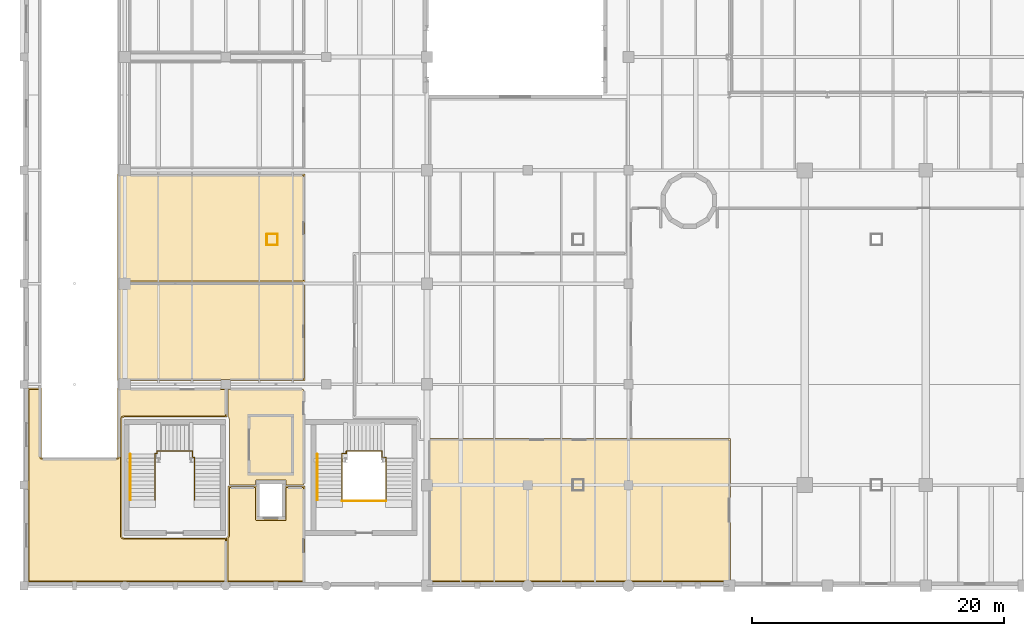
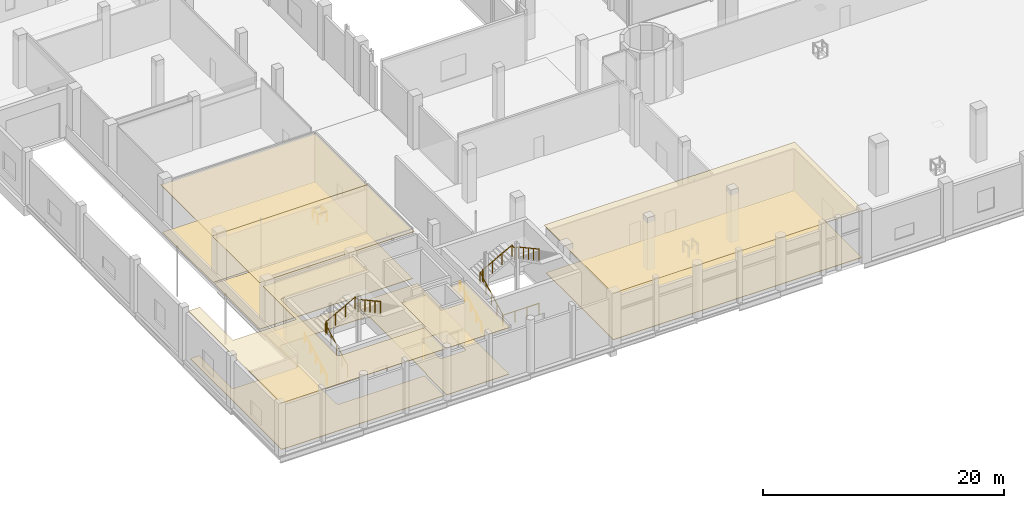
# One storey, part 50 of 57: 11 coverings, 9 railings.
"""IFC4 building model written with IfcOpenShell, lengths in metres."""

from ifc_helpers import new_model, si_unit, derived_unit, direction, frame, origin, origin_2d, place, context, subcontext, project, spatial, polyline, circle, outline, extrude, material, layer, layer_set, type_object, element, save


model = new_model("IFC4")

# Units and contexts
model_context = context("Model", 3, precision=1e-05, world=origin(), true_north=direction((0.0, 1.0)))
body_context = subcontext(model_context, "Body", "Model", "MODEL_VIEW")
ifc_project = project(units=[si_unit("LENGTHUNIT", "METRE"), si_unit("AREAUNIT", "SQUARE_METRE"), si_unit("VOLUMEUNIT", "CUBIC_METRE"), si_unit("PLANEANGLEUNIT", "RADIAN"), si_unit("MASSUNIT", "GRAM", prefix="KILO"), derived_unit("THERMALTRANSMITTANCEUNIT", [(si_unit("POWERUNIT", "WATT"), 1), (si_unit("LENGTHUNIT", "METRE"), -2), (si_unit("THERMODYNAMICTEMPERATUREUNIT", "KELVIN"), -1)])], contexts=[model_context])

# Site, building, storey
site_placement = place(None, origin())
site = spatial("IfcSite", under=ifc_project, at=site_placement, CompositionType="ELEMENT")
building_placement = place(site_placement, origin())
building = spatial("IfcBuilding", under=site, at=building_placement, Name="Nallur Shell Playhouse", CompositionType="ELEMENT")
storey_placement = place(building_placement, origin())
storey = spatial("IfcBuildingStorey", under=building, at=storey_placement, Name="L01", CompositionType="ELEMENT", Elevation=0.0)

# Coverings
ifc_material_1 = material(Name="Micro-Perforated Teak Veneer Acoustic Baffle Ceiling")
ifc_layer_1 = layer(ifc_material_1, 0.044921875)
ifc_layer_set_1 = layer_set([ifc_layer_1], Name="Micro-Perforated Teak Veneer Acoustic Baffle Ceiling")
covering_type_1 = type_object("IfcCoveringType", Name="CV-CEIL-AC1", PredefinedType="CEILING", material=ifc_layer_set_1)
covering_1_placement = place(storey_placement, frame((0.0, 0.0, 4.804931640625)))
element("IfcCovering", 1, at=covering_1_placement, inside=storey, type_object=covering_type_1, Name="South-West Sheltered Arrival Colonnade suspended acoustic ceiling", PredefinedType="CEILING", context=body_context, shape_type="SweptSolid", body=[
    extrude(outline(polyline([(64.110107421875, 19.7099609375), (64.110107421875, 8.2900390625), (40.090087890625, 8.2900390625), (40.090087890625, 19.7099609375), (64.110107421875, 19.7099609375)])), origin(), (0.0, 0.0, 1.0), 0.045166015625),
])
covering_2_placement = place(storey_placement, frame((0.0, 0.0, 4.804931640625)))
element("IfcCovering", 2, at=covering_2_placement, inside=storey, type_object=covering_type_1, Name="Stage Door Security & Artist Reception suspended acoustic ceiling", PredefinedType="CEILING", context=body_context, shape_type="SweptSolid", body=[
    extrude(outline(polyline([(15.87890625, 21.376220703125), (15.875, 21.37451171875), (15.8623046875, 21.368408203125), (15.8583984375, 21.366455078125), (15.846435546875, 21.359130859375), (15.8427734375, 21.356689453125), (15.831298828125, 21.34814453125), (15.82763671875, 21.34521484375), (15.817138671875, 21.335693359375), (15.814208984375, 21.332763671875), (15.8046875, 21.322265625), (15.802001953125, 21.318603515625), (15.793212890625, 21.30712890625), (15.790771484375, 21.303466796875), (15.78369140625, 21.29150390625), (15.781494140625, 21.28759765625), (15.775390625, 21.27490234375), (15.77392578125, 21.27099609375), (15.768798828125, 21.2568359375), (15.767578125, 21.252685546875), (15.76416015625, 21.2392578125), (15.76318359375, 21.23486328125), (15.76123046875, 21.22119140625), (15.7607421875, 21.216796875), (15.760009765625, 21.200927734375), (15.760009765625, 21.198974609375), (15.760009765625, 12.001220703125), (15.760009765625, 11.9990234375), (15.7607421875, 11.9833984375), (15.76123046875, 11.97900390625), (15.76318359375, 11.965087890625), (15.76416015625, 11.960693359375), (15.767578125, 11.947509765625), (15.768798828125, 11.943115234375), (15.77392578125, 11.928955078125), (15.775390625, 11.925048828125), (15.781494140625, 11.912353515625), (15.78369140625, 11.908447265625), (15.790771484375, 11.896484375), (15.793212890625, 11.892822265625), (15.802001953125, 11.88134765625), (15.8046875, 11.877685546875), (15.814208984375, 11.8671875), (15.817138671875, 11.8642578125), (15.82763671875, 11.854736328125), (15.831298828125, 11.851806640625), (15.8427734375, 11.84326171875), (15.846435546875, 11.8408203125), (15.8583984375, 11.83349609375), (15.8623046875, 11.83154296875), (15.875, 11.825439453125), (15.87890625, 11.823974609375), (15.893310546875, 11.81884765625), (15.8974609375, 11.8173828125), (15.910888671875, 11.814208984375), (15.9150390625, 11.813232421875), (15.928955078125, 11.811279296875), (15.933349609375, 11.810791015625), (15.948974609375, 11.81005859375), (15.951171875, 11.81005859375), (24.110107421875, 11.81005859375), (24.110107421875, 8.2900390625), (8.2900390625, 8.2900390625), (8.2900390625, 23.7099609375), (9.3701171875, 23.7099609375), (9.3701171875, 18.202880859375), (9.370361328125, 18.197021484375), (9.370849609375, 18.194091796875), (9.371337890625, 18.19140625), (9.37255859375, 18.1884765625), (9.373779296875, 18.185791015625), (9.375, 18.18359375), (9.376953125, 18.18115234375), (9.37890625, 18.178955078125), (9.381103515625, 18.177001953125), (9.383544921875, 18.175048828125), (9.3857421875, 18.173583984375), (9.388427734375, 18.172607421875), (9.391357421875, 18.17138671875), (9.39404296875, 18.1708984375), (9.397216796875, 18.17041015625), (9.40283203125, 18.169921875), (15.397216796875, 18.169921875), (15.40283203125, 18.17041015625), (15.406005859375, 18.1708984375), (15.40869140625, 18.17138671875), (15.41162109375, 18.172607421875), (15.414306640625, 18.173583984375), (15.41650390625, 18.175048828125), (15.4189453125, 18.177001953125), (15.421142578125, 18.178955078125), (15.423095703125, 18.18115234375), (15.425048828125, 18.18359375), (15.42626953125, 18.185791015625), (15.427490234375, 18.1884765625), (15.4287109375, 18.19140625), (15.42919921875, 18.194091796875), (15.4296875, 18.197021484375), (15.429931640625, 18.202880859375), (15.429931640625, 23.7099609375), (24.110107421875, 23.7099609375), (24.110107421875, 21.389892578125), (15.951171875, 21.389892578125), (15.948974609375, 21.389892578125), (15.933349609375, 21.38916015625), (15.928955078125, 21.388671875), (15.9150390625, 21.38671875), (15.910888671875, 21.3857421875), (15.8974609375, 21.382568359375), (15.893310546875, 21.381103515625), (15.87890625, 21.376220703125)])), origin(), (0.0, 0.0, 1.0), 0.045166015625),
])
covering_3_placement = place(storey_placement, frame((0.0, 0.0, 4.804931640625)))
element("IfcCovering", 3, at=covering_3_placement, inside=storey, type_object=covering_type_1, Name="Principal Soloist Dressing Suite 01 suspended acoustic ceiling", PredefinedType="CEILING", context=body_context, shape_type="SweptSolid", body=[
    extrude(outline(polyline([(15.429931640625, 24.2900390625), (15.429931640625, 32.110107421875), (30.31005859375, 32.110107421875), (30.31005859375, 24.2900390625), (15.429931640625, 24.2900390625)])), origin(), (0.0, 0.0, 1.0), 0.045166015625),
])
ifc_material_2 = material(Name="Mineral-Fibre High-NRC Suspended Ceiling Tile")
ifc_layer_2 = layer(ifc_material_2, 0.030029296875)
ifc_layer_set_2 = layer_set([ifc_layer_2], Name="Mineral-Fibre High-NRC Suspended Ceiling Tile")
covering_type_2 = type_object("IfcCoveringType", Name="CV-CEIL-AC2", PredefinedType="CEILING", material=ifc_layer_set_2)
covering_4_placement = place(storey_placement, frame((0.0, 0.0, 4.820068359375)))
element("IfcCovering", 4, at=covering_4_placement, inside=storey, type_object=covering_type_2, Name="First Aid & Medical Triage Room suspended acoustic ceiling", PredefinedType="CEILING", context=body_context, shape_type="SweptSolid", body=[
    extrude(outline(polyline([(24.145263671875, 11.877685546875), (24.148193359375, 11.88134765625), (24.15673828125, 11.892822265625), (24.1591796875, 11.896484375), (24.16650390625, 11.908447265625), (24.16845703125, 11.912353515625), (24.174560546875, 11.925048828125), (24.176025390625, 11.928955078125), (24.18115234375, 11.943115234375), (24.1826171875, 11.947509765625), (24.185791015625, 11.960693359375), (24.186767578125, 11.965087890625), (24.188720703125, 11.97900390625), (24.189208984375, 11.9833984375), (24.18994140625, 11.9990234375), (24.18994140625, 12.001220703125), (24.18994140625, 15.909912109375), (26.489990234375, 15.909912109375), (26.489990234375, 13.2900390625), (28.7099609375, 13.2900390625), (28.7099609375, 15.909912109375), (30.31005859375, 15.909912109375), (30.31005859375, 8.2900390625), (24.090087890625, 8.2900390625), (24.090087890625, 11.825439453125), (24.1328125, 11.8642578125), (24.1357421875, 11.8671875), (24.145263671875, 11.877685546875)])), origin(), (0.0, 0.0, 1.0), 0.030029296875),
])
covering_5_placement = place(storey_placement, frame((0.0, 0.0, 4.820068359375)))
element("IfcCovering", 5, at=covering_5_placement, inside=storey, type_object=covering_type_2, Name="Principal Soloist Dressing Suite 02 suspended acoustic ceiling", PredefinedType="CEILING", context=body_context, shape_type="SweptSolid", body=[
    extrude(outline(polyline([(15.429931640625, 32.090087890625), (15.429931640625, 40.7099609375), (30.31005859375, 40.7099609375), (30.31005859375, 32.090087890625), (15.429931640625, 32.090087890625)])), origin(), (0.0, 0.0, 1.0), 0.030029296875),
])
ifc_material_3 = material(Name="Polished Chettinad Oxide & White Marble Terrazzo Flooring", Category="masonry")
ifc_layer_3 = layer(ifc_material_3, 0.050048828125)
ifc_layer_set_3 = layer_set([ifc_layer_3], Name="Polished Chettinad Oxide & White Marble Terrazzo Flooring")
covering_type_3 = type_object("IfcCoveringType", Name="CV-FLOR-TERRAZZO", PredefinedType="FLOORING", material=ifc_layer_set_3)
covering_6_placement = place(storey_placement, origin())
element("IfcCovering", 6, at=covering_6_placement, inside=storey, type_object=covering_type_3, Name="South-West Sheltered Arrival Colonnade floor finish", PredefinedType="FLOORING", context=body_context, shape_type="SweptSolid", body=[
    extrude(outline(polyline([(64.0, 19.60009765625), (64.0, 8.39990234375), (40.199951171875, 8.39990234375), (40.199951171875, 19.60009765625), (64.0, 19.60009765625)])), origin(), (0.0, 0.0, 1.0), 0.050048828125),
])
covering_7_placement = place(storey_placement, origin())
element("IfcCovering", 7, at=covering_7_placement, inside=storey, type_object=covering_type_3, Name="Stage Door Security & Artist Reception floor finish", PredefinedType="FLOORING", context=body_context, shape_type="SweptSolid", body=[
    extrude(outline(polyline([(15.83984375, 21.47900390625), (15.830810546875, 21.47509765625), (15.81298828125, 21.466796875), (15.80419921875, 21.462158203125), (15.78759765625, 21.4521484375), (15.779296875, 21.446533203125), (15.763671875, 21.434814453125), (15.756103515625, 21.4287109375), (15.741455078125, 21.41552734375), (15.734619140625, 21.40869140625), (15.72119140625, 21.39404296875), (15.715087890625, 21.386474609375), (15.703369140625, 21.37060546875), (15.697998046875, 21.362548828125), (15.687744140625, 21.345703125), (15.68310546875, 21.3369140625), (15.6748046875, 21.3193359375), (15.671142578125, 21.310302734375), (15.66455078125, 21.291748046875), (15.66162109375, 21.282470703125), (15.65673828125, 21.26318359375), (15.65478515625, 21.253662109375), (15.652099609375, 21.234375), (15.651123046875, 21.224609375), (15.650146484375, 21.204833984375), (15.64990234375, 21.199951171875), (15.64990234375, 12.0), (15.650146484375, 11.9951171875), (15.651123046875, 11.9755859375), (15.652099609375, 11.9658203125), (15.65478515625, 11.9462890625), (15.65673828125, 11.936767578125), (15.66162109375, 11.91748046875), (15.66455078125, 11.908203125), (15.671142578125, 11.889892578125), (15.6748046875, 11.880615234375), (15.68310546875, 11.863037109375), (15.687744140625, 11.854248046875), (15.697998046875, 11.83740234375), (15.703369140625, 11.829345703125), (15.715087890625, 11.813720703125), (15.72119140625, 11.805908203125), (15.734619140625, 11.79150390625), (15.741455078125, 11.784423828125), (15.756103515625, 11.771240234375), (15.763671875, 11.76513671875), (15.779296875, 11.75341796875), (15.78759765625, 11.747802734375), (15.80419921875, 11.73779296875), (15.81298828125, 11.733154296875), (15.830810546875, 11.724853515625), (15.83984375, 11.72119140625), (15.8583984375, 11.714599609375), (15.86767578125, 11.711669921875), (15.88671875, 11.706787109375), (15.896240234375, 11.704833984375), (15.915771484375, 11.701904296875), (15.925537109375, 11.701171875), (15.945068359375, 11.7001953125), (15.949951171875, 11.699951171875), (24.0, 11.699951171875), (24.0, 8.39990234375), (8.39990234375, 8.39990234375), (8.39990234375, 23.60009765625), (9.260009765625, 23.60009765625), (9.260009765625, 18.199951171875), (9.2607421875, 18.186279296875), (9.2626953125, 18.172607421875), (9.26611328125, 18.159423828125), (9.270751953125, 18.146484375), (9.276611328125, 18.134033203125), (9.28369140625, 18.122314453125), (9.291748046875, 18.111083984375), (9.301025390625, 18.10107421875), (9.311279296875, 18.091796875), (9.322265625, 18.08349609375), (9.333984375, 18.076416015625), (9.346435546875, 18.07080078125), (9.359375, 18.06591796875), (9.372802734375, 18.062744140625), (9.38623046875, 18.060791015625), (9.39990234375, 18.06005859375), (15.39990234375, 18.06005859375), (15.413818359375, 18.060791015625), (15.42724609375, 18.062744140625), (15.440673828125, 18.06591796875), (15.45361328125, 18.07080078125), (15.466064453125, 18.076416015625), (15.477783203125, 18.08349609375), (15.48876953125, 18.091796875), (15.4990234375, 18.10107421875), (15.50830078125, 18.111083984375), (15.516357421875, 18.122314453125), (15.5234375, 18.134033203125), (15.529296875, 18.146484375), (15.533935546875, 18.159423828125), (15.537353515625, 18.172607421875), (15.539306640625, 18.186279296875), (15.5400390625, 18.199951171875), (15.5400390625, 23.60009765625), (24.0, 23.60009765625), (24.0, 21.5), (15.949951171875, 21.5), (15.945068359375, 21.5), (15.925537109375, 21.498779296875), (15.915771484375, 21.498046875), (15.896240234375, 21.4951171875), (15.88671875, 21.4931640625), (15.86767578125, 21.48828125), (15.8583984375, 21.485595703125), (15.83984375, 21.47900390625)])), origin(), (0.0, 0.0, 1.0), 0.050048828125),
])
covering_8_placement = place(storey_placement, origin())
element("IfcCovering", 8, at=covering_8_placement, inside=storey, type_object=covering_type_3, Name="First Aid & Medical Triage Room floor finish", PredefinedType="FLOORING", context=body_context, shape_type="SweptSolid", body=[
    extrude(outline(polyline([(24.26220703125, 11.854248046875), (24.266845703125, 11.863037109375), (24.275146484375, 11.880615234375), (24.27880859375, 11.889892578125), (24.285400390625, 11.908203125), (24.288330078125, 11.91748046875), (24.293212890625, 11.936767578125), (24.295166015625, 11.9462890625), (24.298095703125, 11.9658203125), (24.298828125, 11.9755859375), (24.2998046875, 11.9951171875), (24.300048828125, 12.0), (24.300048828125, 15.800048828125), (26.3798828125, 15.800048828125), (26.3798828125, 13.280029296875), (26.380615234375, 13.270263671875), (26.3818359375, 13.260498046875), (26.38427734375, 13.2509765625), (26.3876953125, 13.24169921875), (26.391845703125, 13.23291015625), (26.39697265625, 13.224365234375), (26.402587890625, 13.216552734375), (26.4091796875, 13.209228515625), (26.41650390625, 13.20263671875), (26.42431640625, 13.197021484375), (26.432861328125, 13.19189453125), (26.441650390625, 13.1875), (26.450927734375, 13.184326171875), (26.46044921875, 13.181884765625), (26.47021484375, 13.180419921875), (26.47998046875, 13.179931640625), (28.719970703125, 13.179931640625), (28.729736328125, 13.180419921875), (28.739501953125, 13.181884765625), (28.7490234375, 13.184326171875), (28.75830078125, 13.1875), (28.76708984375, 13.19189453125), (28.775634765625, 13.197021484375), (28.783447265625, 13.20263671875), (28.790771484375, 13.209228515625), (28.79736328125, 13.216552734375), (28.802978515625, 13.224365234375), (28.80810546875, 13.23291015625), (28.8125, 13.24169921875), (28.815673828125, 13.2509765625), (28.818115234375, 13.260498046875), (28.819580078125, 13.270263671875), (28.820068359375, 13.280029296875), (28.820068359375, 15.800048828125), (30.199951171875, 15.800048828125), (30.199951171875, 8.39990234375), (24.199951171875, 8.39990234375), (24.199951171875, 11.776611328125), (24.20849609375, 11.784423828125), (24.215576171875, 11.79150390625), (24.228759765625, 11.805908203125), (24.23486328125, 11.813720703125), (24.24658203125, 11.829345703125), (24.252197265625, 11.83740234375), (24.26220703125, 11.854248046875)])), origin(), (0.0, 0.0, 1.0), 0.050048828125),
])
covering_9_placement = place(storey_placement, origin())
element("IfcCovering", 9, at=covering_9_placement, inside=storey, type_object=covering_type_3, Name="Fire Command Room floor finish", PredefinedType="FLOORING", context=body_context, shape_type="SweptSolid", body=[
    extrude(outline(polyline([(28.80810546875, 16.3671875), (28.802978515625, 16.37548828125), (28.79736328125, 16.38330078125), (28.790771484375, 16.390625), (28.783447265625, 16.397216796875), (28.775634765625, 16.403076171875), (28.76708984375, 16.408203125), (28.75830078125, 16.412353515625), (28.7490234375, 16.415771484375), (28.739501953125, 16.418212890625), (28.729736328125, 16.41943359375), (28.719970703125, 16.419921875), (26.47998046875, 16.419921875), (26.47021484375, 16.41943359375), (26.46044921875, 16.418212890625), (26.450927734375, 16.415771484375), (26.441650390625, 16.412353515625), (26.432861328125, 16.408203125), (26.42431640625, 16.403076171875), (26.41650390625, 16.397216796875), (26.4091796875, 16.390625), (26.402587890625, 16.38330078125), (26.39697265625, 16.37548828125), (26.391845703125, 16.3671875), (26.3876953125, 16.3583984375), (26.38427734375, 16.34912109375), (26.3818359375, 16.339599609375), (26.380615234375, 16.329833984375), (26.3798828125, 16.320068359375), (26.3798828125, 16.0), (24.300048828125, 16.0), (24.300048828125, 21.199951171875), (24.2998046875, 21.204833984375), (24.298828125, 21.224609375), (24.298095703125, 21.234375), (24.295166015625, 21.253662109375), (24.293212890625, 21.26318359375), (24.288330078125, 21.282470703125), (24.285400390625, 21.291748046875), (24.27880859375, 21.310302734375), (24.275146484375, 21.3193359375), (24.266845703125, 21.3369140625), (24.26220703125, 21.345703125), (24.252197265625, 21.362548828125), (24.24658203125, 21.37060546875), (24.23486328125, 21.386474609375), (24.228759765625, 21.39404296875), (24.215576171875, 21.40869140625), (24.20849609375, 21.41552734375), (24.199951171875, 21.42333984375), (24.199951171875, 23.60009765625), (30.199951171875, 23.60009765625), (30.199951171875, 16.0), (28.820068359375, 16.0), (28.820068359375, 16.320068359375), (28.819580078125, 16.329833984375), (28.818115234375, 16.339599609375), (28.815673828125, 16.34912109375), (28.8125, 16.3583984375), (28.80810546875, 16.3671875)])), origin(), (0.0, 0.0, 1.0), 0.050048828125),
])
covering_10_placement = place(storey_placement, origin())
element("IfcCovering", 10, at=covering_10_placement, inside=storey, type_object=covering_type_3, Name="Principal Soloist Dressing Suite 01 floor finish", PredefinedType="FLOORING", context=body_context, shape_type="SweptSolid", body=[
    extrude(outline(polyline([(15.5400390625, 24.39990234375), (15.5400390625, 32.0), (30.199951171875, 32.0), (30.199951171875, 24.39990234375), (15.5400390625, 24.39990234375)])), origin(), (0.0, 0.0, 1.0), 0.050048828125),
])
covering_11_placement = place(storey_placement, origin())
element("IfcCovering", 11, at=covering_11_placement, inside=storey, type_object=covering_type_3, Name="Principal Soloist Dressing Suite 02 floor finish", PredefinedType="FLOORING", context=body_context, shape_type="SweptSolid", body=[
    extrude(outline(polyline([(15.5400390625, 32.199951171875), (15.5400390625, 40.60009765625), (30.199951171875, 40.60009765625), (30.199951171875, 32.199951171875), (15.5400390625, 32.199951171875)])), origin(), (0.0, 0.0, 1.0), 0.050048828125),
])

# Railings
ifc_material_4 = material(Name="Brushed Stainless Steel 316 Balustrade & Toughened Infill", Category="steel")
railing_type_1 = type_object("IfcRailingType", Name="RL-GUARD-1100", PredefinedType="BALUSTRADE", material=ifc_material_4)
railing_1_placement = place(storey_placement, frame((33.260009765625, 14.800048828125, 0.0)))
element("IfcRailing", 12, at=railing_1_placement, inside=storey, type_object=railing_type_1, Name="Stair ST-01-L01 inner open-well guard", PredefinedType="BALUSTRADE", context=body_context, shape_type="SweptSolid", body=[
    extrude(circle(Radius=0.02392578125, at=origin_2d()), frame((0.0, 0.0, 1.15576171875), z_axis=(0.0, 0.879145147203, 0.476554099919), x_axis=(-1.0, 0.0, 0.0)), (0.0, 0.0, 1.0), 4.20849609375),
    extrude(circle(Radius=0.02392578125, at=origin_2d()), frame((0.0, 3.699951171875, 3.16162109375), z_axis=(1.0, 0.0, 0.0), x_axis=(0.0, 1.0, 0.0)), (0.0, 0.0, 1.0), 0.327392578125),
    extrude(circle(Radius=0.02392578125, at=origin_2d()), frame((0.327392578125, 3.699951171875, 3.16162109375), z_axis=(0.0, 1.0, 0.0), x_axis=(-1.0, 0.0, 0.0)), (0.0, 0.0, 1.0), 0.199951171875),
    extrude(circle(Radius=0.02392578125, at=origin_2d()), frame((0.327392578125, 3.89990234375, 3.16162109375), z_axis=(0.877640388325, 0.0, 0.47931967285), x_axis=(0.0, 1.0, 0.0)), (0.0, 0.0, 1.0), 3.218994140625),
    extrude(circle(Radius=0.02392578125, at=origin_2d()), frame((3.152587890625, 3.89990234375, 4.70458984375), z_axis=(0.0, -1.0, 0.0), x_axis=(1.0, 0.0, 0.0)), (0.0, 0.0, 1.0), 0.5048828125),
    extrude(circle(Radius=0.02392578125, at=origin_2d()), frame((3.152587890625, 3.39501953125, 4.70458984375), z_axis=(1.0, 0.0, 0.0), x_axis=(0.0, 1.0, 0.0)), (0.0, 0.0, 1.0), 0.327392578125),
    extrude(circle(Radius=0.02392578125, at=origin_2d()), frame((3.47998046875, 3.39501953125, 4.70458984375), z_axis=(0.0, -0.877951061209, 0.478750388117), x_axis=(1.0, 0.0, 0.0)), (0.0, 0.0, 1.0), 3.866943359375),
    extrude(circle(Radius=0.02099609375, at=origin_2d()), origin(), (0.0, 0.0, 1.0), 1.1318359375),
    extrude(circle(Radius=0.02099609375, at=origin_2d()), frame((0.0, 0.925048828125, 0.50146484375)), (0.0, 0.0, 1.0), 1.1318359375),
    extrude(circle(Radius=0.02099609375, at=origin_2d()), frame((0.0, 1.85009765625, 1.0029296875)), (0.0, 0.0, 1.0), 1.1318359375),
    extrude(circle(Radius=0.02099609375, at=origin_2d()), frame((0.0, 2.77490234375, 1.504150390625)), (0.0, 0.0, 1.0), 1.1318359375),
    extrude(circle(Radius=0.02099609375, at=origin_2d()), frame((0.0, 3.699951171875, 2.005615234375)), (0.0, 0.0, 1.0), 1.1318359375),
    extrude(circle(Radius=0.02099609375, at=origin_2d()), frame((0.327392578125, 3.699951171875, 2.005615234375)), (0.0, 0.0, 1.0), 1.1318359375),
    extrude(circle(Radius=0.02099609375, at=origin_2d()), frame((0.327392578125, 3.89990234375, 2.005615234375)), (0.0, 0.0, 1.0), 1.1318359375),
    extrude(circle(Radius=0.02099609375, at=origin_2d()), frame((1.26904296875, 3.89990234375, 2.52001953125)), (0.0, 0.0, 1.0), 1.1318359375),
    extrude(circle(Radius=0.02099609375, at=origin_2d()), frame((2.2109375, 3.89990234375, 3.0341796875)), (0.0, 0.0, 1.0), 1.1318359375),
    extrude(circle(Radius=0.02099609375, at=origin_2d()), frame((3.152587890625, 3.89990234375, 3.548583984375)), (0.0, 0.0, 1.0), 1.1318359375),
    extrude(circle(Radius=0.02099609375, at=origin_2d()), frame((3.152587890625, 3.39501953125, 3.548583984375)), (0.0, 0.0, 1.0), 1.1318359375),
    extrude(circle(Radius=0.02099609375, at=origin_2d()), frame((3.47998046875, 3.39501953125, 3.548583984375)), (0.0, 0.0, 1.0), 1.1318359375),
    extrude(circle(Radius=0.02099609375, at=origin_2d()), frame((3.47998046875, 2.54638671875, 4.011474609375)), (0.0, 0.0, 1.0), 1.1318359375),
    extrude(circle(Radius=0.02099609375, at=origin_2d()), frame((3.47998046875, 1.697509765625, 4.47412109375)), (0.0, 0.0, 1.0), 1.1318359375),
    extrude(circle(Radius=0.02099609375, at=origin_2d()), frame((3.47998046875, 0.8486328125, 4.93701171875)), (0.0, 0.0, 1.0), 1.1318359375),
    extrude(circle(Radius=0.02099609375, at=origin_2d()), frame((3.47998046875, 0.0, 5.39990234375)), (0.0, 0.0, 1.0), 1.1318359375),
])
railing_2_placement = place(storey_placement, frame((33.260009765625, 14.739990234375, 0.0)))
element("IfcRailing", 13, at=railing_2_placement, inside=storey, type_object=railing_type_1, Name="Stair ST-01-L01 floor-well guard", PredefinedType="BALUSTRADE", context=body_context, shape_type="SweptSolid", body=[
    extrude(circle(Radius=0.02392578125, at=origin_2d()), frame((0.0, 0.0, 1.09619140625), z_axis=(1.0, 0.0, 0.0), x_axis=(0.0, 1.0, 0.0)), (0.0, 0.0, 1.0), 3.47998046875),
    extrude(circle(Radius=0.02099609375, at=origin_2d()), origin(), (0.0, 0.0, 1.0), 1.072021484375),
    extrude(circle(Radius=0.02099609375, at=origin_2d()), frame((1.159912109375, 0.0, 0.0)), (0.0, 0.0, 1.0), 1.072021484375),
    extrude(circle(Radius=0.02099609375, at=origin_2d()), frame((2.320068359375, 0.0, 0.0)), (0.0, 0.0, 1.0), 1.072021484375),
    extrude(circle(Radius=0.02099609375, at=origin_2d()), frame((3.47998046875, 0.0, 0.0)), (0.0, 0.0, 1.0), 1.072021484375),
])
railing_3_placement = place(storey_placement, frame((18.409912109375, 14.800048828125, 0.0)))
element("IfcRailing", 14, at=railing_3_placement, inside=storey, type_object=railing_type_1, Name="Stair ST-07-L01 inner open-well guard", PredefinedType="BALUSTRADE", context=body_context, shape_type="SweptSolid", body=[
    extrude(circle(Radius=0.02392578125, at=origin_2d()), frame((0.0, 0.0, 1.15576171875), z_axis=(0.0, 0.879145147203, 0.476554099919), x_axis=(-1.0, 0.0, 0.0)), (0.0, 0.0, 1.0), 4.20849609375),
    extrude(circle(Radius=0.02392578125, at=origin_2d()), frame((0.0, 3.699951171875, 3.16162109375), z_axis=(1.0, 0.0, 0.0), x_axis=(0.0, 1.0, 0.0)), (0.0, 0.0, 1.0), 0.152587890625),
    extrude(circle(Radius=0.02392578125, at=origin_2d()), frame((0.152587890625, 3.699951171875, 3.16162109375), z_axis=(0.0, 1.0, 0.0), x_axis=(-1.0, 0.0, 0.0)), (0.0, 0.0, 1.0), 0.199951171875),
    extrude(circle(Radius=0.02392578125, at=origin_2d()), frame((0.152587890625, 3.89990234375, 3.16162109375), z_axis=(0.877622962151, 0.0, 0.479351579016), x_axis=(0.0, 1.0, 0.0)), (0.0, 0.0, 1.0), 3.21875),
    extrude(circle(Radius=0.02392578125, at=origin_2d()), frame((2.9775390625, 3.89990234375, 4.70458984375), z_axis=(0.0, -1.0, 0.0), x_axis=(1.0, 0.0, 0.0)), (0.0, 0.0, 1.0), 0.5048828125),
    extrude(circle(Radius=0.02392578125, at=origin_2d()), frame((2.9775390625, 3.39501953125, 4.70458984375), z_axis=(1.0, 0.0, 0.0), x_axis=(0.0, 1.0, 0.0)), (0.0, 0.0, 1.0), 0.152587890625),
    extrude(circle(Radius=0.02392578125, at=origin_2d()), frame((3.130126953125, 3.39501953125, 4.70458984375), z_axis=(0.0, -0.877951061209, 0.478750388117), x_axis=(1.0, 0.0, 0.0)), (0.0, 0.0, 1.0), 3.866943359375),
    extrude(circle(Radius=0.02099609375, at=origin_2d()), origin(), (0.0, 0.0, 1.0), 1.1318359375),
    extrude(circle(Radius=0.02099609375, at=origin_2d()), frame((0.0, 0.925048828125, 0.50146484375)), (0.0, 0.0, 1.0), 1.1318359375),
    extrude(circle(Radius=0.02099609375, at=origin_2d()), frame((0.0, 1.85009765625, 1.0029296875)), (0.0, 0.0, 1.0), 1.1318359375),
    extrude(circle(Radius=0.02099609375, at=origin_2d()), frame((0.0, 2.77490234375, 1.504150390625)), (0.0, 0.0, 1.0), 1.1318359375),
    extrude(circle(Radius=0.02099609375, at=origin_2d()), frame((0.0, 3.699951171875, 2.005615234375)), (0.0, 0.0, 1.0), 1.1318359375),
    extrude(circle(Radius=0.02099609375, at=origin_2d()), frame((0.152587890625, 3.699951171875, 2.005615234375)), (0.0, 0.0, 1.0), 1.1318359375),
    extrude(circle(Radius=0.02099609375, at=origin_2d()), frame((0.152587890625, 3.89990234375, 2.005615234375)), (0.0, 0.0, 1.0), 1.1318359375),
    extrude(circle(Radius=0.02099609375, at=origin_2d()), frame((1.09423828125, 3.89990234375, 2.52001953125)), (0.0, 0.0, 1.0), 1.1318359375),
    extrude(circle(Radius=0.02099609375, at=origin_2d()), frame((2.035888671875, 3.89990234375, 3.0341796875)), (0.0, 0.0, 1.0), 1.1318359375),
    extrude(circle(Radius=0.02099609375, at=origin_2d()), frame((2.9775390625, 3.89990234375, 3.548583984375)), (0.0, 0.0, 1.0), 1.1318359375),
    extrude(circle(Radius=0.02099609375, at=origin_2d()), frame((2.9775390625, 3.39501953125, 3.548583984375)), (0.0, 0.0, 1.0), 1.1318359375),
    extrude(circle(Radius=0.02099609375, at=origin_2d()), frame((3.130126953125, 3.39501953125, 3.548583984375)), (0.0, 0.0, 1.0), 1.1318359375),
    extrude(circle(Radius=0.02099609375, at=origin_2d()), frame((3.130126953125, 2.54638671875, 4.011474609375)), (0.0, 0.0, 1.0), 1.1318359375),
    extrude(circle(Radius=0.02099609375, at=origin_2d()), frame((3.130126953125, 1.697509765625, 4.47412109375)), (0.0, 0.0, 1.0), 1.1318359375),
    extrude(circle(Radius=0.02099609375, at=origin_2d()), frame((3.130126953125, 0.8486328125, 4.93701171875)), (0.0, 0.0, 1.0), 1.1318359375),
    extrude(circle(Radius=0.02099609375, at=origin_2d()), frame((3.130126953125, 0.0, 5.39990234375)), (0.0, 0.0, 1.0), 1.1318359375),
])
railing_4_placement = place(storey_placement, frame((27.27001953125, 35.070068359375, 0.0)))
element("IfcRailing", 15, at=railing_4_placement, inside=storey, type_object=railing_type_1, Name="L01 service riser edge guard 035", PredefinedType="BALUSTRADE", context=body_context, shape_type="SweptSolid", body=[
    extrude(circle(Radius=0.02392578125, at=origin_2d()), frame((0.0, 0.0, 1.09619140625), z_axis=(1.0, 0.0, 0.0), x_axis=(0.0, 1.0, 0.0)), (0.0, 0.0, 1.0), 0.85986328125),
    extrude(circle(Radius=0.02099609375, at=origin_2d()), origin(), (0.0, 0.0, 1.0), 1.072021484375),
    extrude(circle(Radius=0.02099609375, at=origin_2d()), frame((0.85986328125, 0.0, 0.0)), (0.0, 0.0, 1.0), 1.072021484375),
])
railing_5_placement = place(storey_placement, frame((28.1298828125, 35.070068359375, 0.0)))
element("IfcRailing", 16, at=railing_5_placement, inside=storey, type_object=railing_type_1, Name="L01 service riser edge guard 036", PredefinedType="BALUSTRADE", context=body_context, shape_type="SweptSolid", body=[
    extrude(circle(Radius=0.02392578125, at=origin_2d()), frame((0.0, 0.0, 1.09619140625), z_axis=(0.0, 1.0, 0.0), x_axis=(-1.0, 0.0, 0.0)), (0.0, 0.0, 1.0), 0.85986328125),
    extrude(circle(Radius=0.02099609375, at=origin_2d()), origin(), (0.0, 0.0, 1.0), 1.072021484375),
    extrude(circle(Radius=0.02099609375, at=origin_2d()), frame((0.0, 0.85986328125, 0.0)), (0.0, 0.0, 1.0), 1.072021484375),
])
railing_6_placement = place(storey_placement, frame((28.1298828125, 35.929931640625, 0.0)))
element("IfcRailing", 17, at=railing_6_placement, inside=storey, type_object=railing_type_1, Name="L01 service riser edge guard 037", PredefinedType="BALUSTRADE", context=body_context, shape_type="SweptSolid", body=[
    extrude(circle(Radius=0.02392578125, at=origin_2d()), frame((0.0, 0.0, 1.09619140625), z_axis=(-1.0, 0.0, 0.0), x_axis=(0.0, -1.0, 0.0)), (0.0, 0.0, 1.0), 0.85986328125),
    extrude(circle(Radius=0.02099609375, at=origin_2d()), origin(), (0.0, 0.0, 1.0), 1.072021484375),
    extrude(circle(Radius=0.02099609375, at=origin_2d()), frame((-0.85986328125, 0.0, 0.0)), (0.0, 0.0, 1.0), 1.072021484375),
])
railing_7_placement = place(storey_placement, frame((27.27001953125, 35.929931640625, 0.0)))
element("IfcRailing", 18, at=railing_7_placement, inside=storey, type_object=railing_type_1, Name="L01 service riser edge guard 038", PredefinedType="BALUSTRADE", context=body_context, shape_type="SweptSolid", body=[
    extrude(circle(Radius=0.02392578125, at=origin_2d()), frame((0.0, 0.0, 1.09619140625), z_axis=(0.0, -1.0, 0.0), x_axis=(1.0, 0.0, 0.0)), (0.0, 0.0, 1.0), 0.85986328125),
    extrude(circle(Radius=0.02099609375, at=origin_2d()), origin(), (0.0, 0.0, 1.0), 1.072021484375),
    extrude(circle(Radius=0.02099609375, at=origin_2d()), frame((0.0, -0.85986328125, 0.0)), (0.0, 0.0, 1.0), 1.072021484375),
])
ifc_material_5 = material(Name="Stainless Steel 316 Continuous Tubular Handrail", Category="steel")
railing_type_2 = type_object("IfcRailingType", Name="RL-HANDRAIL-900", PredefinedType="HANDRAIL", material=ifc_material_5)
for number, where, name in (
    (19, (31.280029296875, 14.800048828125, 0.0), "Stair ST-01-L01 outer handrail F1"),
    (20, (16.429931640625, 14.800048828125, 0.0), "Stair ST-07-L01 outer handrail F1"),
):
    element("IfcRailing", number, at=place(storey_placement, frame(where)), inside=storey, type_object=railing_type_2, Name=name, PredefinedType="HANDRAIL", context=body_context, shape_type="SweptSolid", body=[
        extrude(circle(Radius=0.02392578125, at=origin_2d()), frame((0.0, 0.0, 0.89599609375), z_axis=(0.0, 0.876957165418, 0.480568548723), x_axis=(-1.0, 0.0, 0.0)), (0.0, 0.0, 1.0), 4.17333984375),
        extrude(circle(Radius=0.02099609375, at=origin_2d()), origin(), (0.0, 0.0, 1.0), 0.871826171875),
        extrude(circle(Radius=0.02099609375, at=origin_2d()), frame((0.0, 0.9150390625, 0.50146484375)), (0.0, 0.0, 1.0), 0.871826171875),
        extrude(circle(Radius=0.02099609375, at=origin_2d()), frame((0.0, 1.830078125, 1.0029296875)), (0.0, 0.0, 1.0), 0.871826171875),
        extrude(circle(Radius=0.02099609375, at=origin_2d()), frame((0.0, 2.744873046875, 1.504150390625)), (0.0, 0.0, 1.0), 0.871826171875),
        extrude(circle(Radius=0.02099609375, at=origin_2d()), frame((0.0, 3.659912109375, 2.005615234375)), (0.0, 0.0, 1.0), 0.871826171875),
    ])

save(model, "model.ifc")
